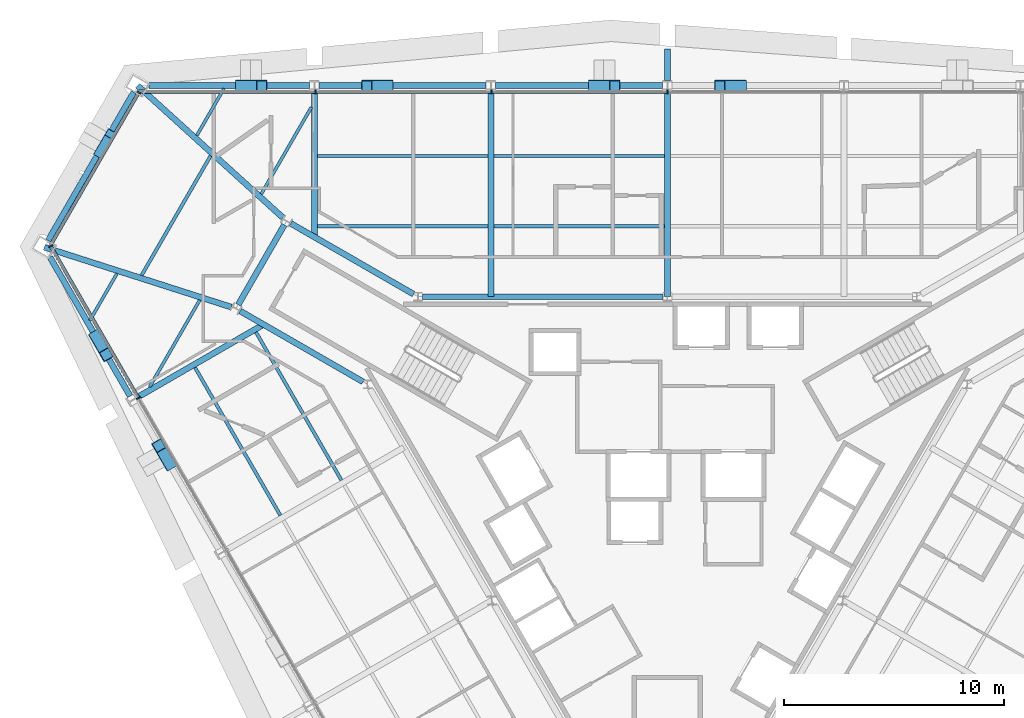
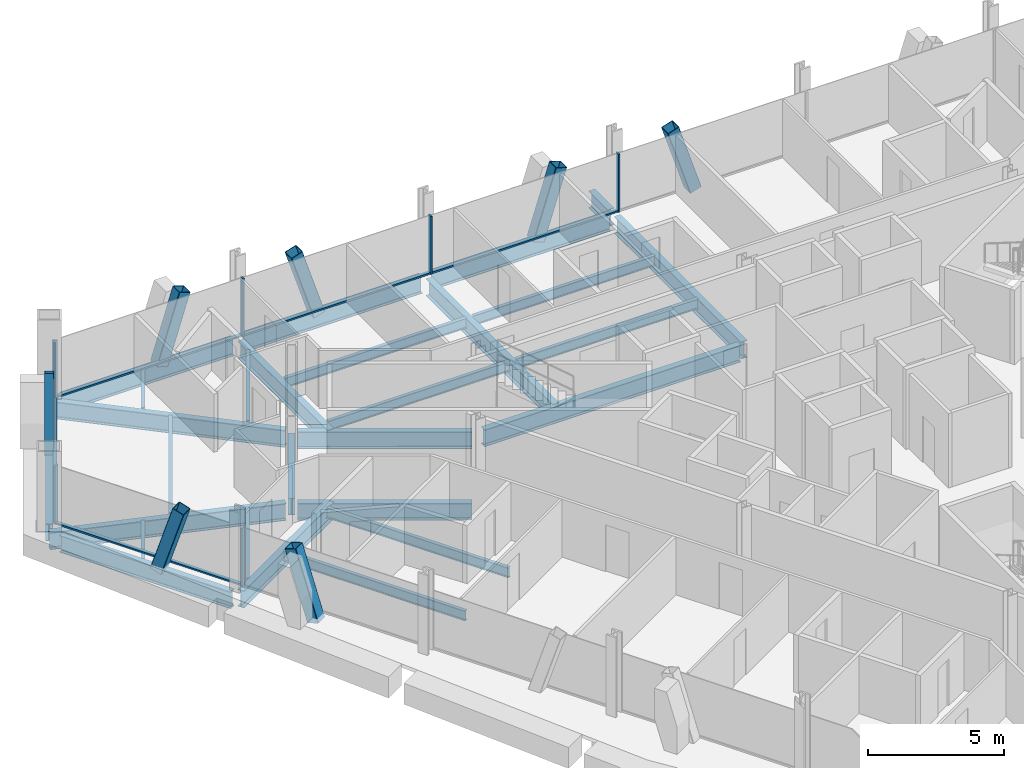
# One storey, part 6 of 16: 27 beams, 18 members, 3 elements without a shape of their own.
"""IFC4 building model written with IfcOpenShell, lengths in metres."""

from ifc_helpers import new_model, si_unit, direction, frame, origin, origin_2d, place, context, subcontext, project, spatial, rectangle, hollow_rectangle, i_section, extrude, material, material_profile, profile_set, type_object, element, aggregate, save


model = new_model("IFC4")

# Units and contexts
model_context = context("Model", 3, precision=1e-05, world=origin(), true_north=direction((0.0, 1.0)))
body_context = subcontext(model_context, "Body", "Model", "MODEL_VIEW")
ifc_project = project(units=[si_unit("LENGTHUNIT", "METRE"), si_unit("AREAUNIT", "SQUARE_METRE"), si_unit("VOLUMEUNIT", "CUBIC_METRE"), si_unit("PLANEANGLEUNIT", "RADIAN"), si_unit("MASSUNIT", "GRAM", prefix="KILO")], contexts=[model_context])

# Site, building, storey
site_placement = place(None, origin())
site = spatial("IfcSite", under=ifc_project, at=site_placement, CompositionType="ELEMENT")
building_placement = place(site_placement, origin())
building = spatial("IfcBuilding", under=site, at=building_placement, Name="Verrane Prism Tower", CompositionType="ELEMENT")
storey_placement = place(building_placement, frame((0.0, 0.0, 107.199951171875)))
storey = spatial("IfcBuildingStorey", under=building, at=storey_placement, Name="L25", CompositionType="ELEMENT", Elevation=107.199951171875)

# Member
ifc_material_1 = material(Name="Steel A500 Grade C", Category="steel")
ifc_material_profile_1 = material_profile(ifc_material_1, hollow_rectangle(XDim=0.355712890625, YDim=0.355712890625, WallThickness=0.0126953125, InnerFilletRadius=0.00634765625, OuterFilletRadius=0.01904296875, at=origin_2d()), Name="HSS14x14x1/2")
ifc_profile_set_1 = profile_set([ifc_material_profile_1], Name="Steel A500 Grade C")
member_type_1 = type_object("IfcMemberType", Name="Chamfer brace HSS14x14x1/2", PredefinedType="BRACE", material=ifc_profile_set_1)
member_1_placement = place(storey_placement, frame((-25.8369140625, 15.731201171875, -0.2451171875), z_axis=(0.159496476686, 0.276075302399, 0.947809738993), x_axis=(-0.865883682865, 0.500245387533, 0.0)))
element("IfcMember", 1, at=member_1_placement, inside=storey, type_object=member_type_1, Name="Chamfer brace NW0 L25", PredefinedType="BRACE", context=body_context, shape_type="SweptSolid", body=[
    extrude(hollow_rectangle(XDim=0.355712890625, YDim=0.355712890625, WallThickness=0.0126953125, InnerFilletRadius=0.00634765625, OuterFilletRadius=0.01904296875, at=origin_2d()), origin(), (0.0, 0.0, 1.0), 3.16845703125),
])

# Beams
ifc_material_2 = material(Name="Steel A992", Category="steel")
ifc_material_profile_2 = material_profile(ifc_material_2, i_section(OverallWidth=0.2666015625, OverallDepth=0.76708984375, WebThickness=0.014892578125, FlangeThickness=0.023681640625, FilletRadius=0.0166015625, at=origin_2d()), Name="W30x124")
ifc_profile_set_2 = profile_set([ifc_material_profile_2], Name="Steel A992")
beam_type_1 = type_object("IfcBeamType", Name="Chamfer spandrel beam W30x124", PredefinedType="SPANDREL", material=ifc_profile_set_2)
beam_1_placement = place(storey_placement, frame((-24.2451171875, 18.48681640625, -0.54345703125), z_axis=(-0.500214307011, -0.865901638214, 0.0), x_axis=(0.865901638214, -0.500214307011, 0.0)))
element("IfcBeam", 2, at=beam_1_placement, inside=storey, type_object=beam_type_1, Name="Chamfer spandrel beam L25", PredefinedType="SPANDREL", context=body_context, shape_type="SweptSolid", body=[
    extrude(i_section(OverallWidth=0.2666015625, OverallDepth=0.76708984375, WebThickness=0.014892578125, FlangeThickness=0.023681640625, FilletRadius=0.0166015625, at=origin_2d()), origin(), (0.0, 0.0, 1.0), 7.7763671875),
])
ifc_material_3 = material(Name="Steel A992", Category="steel")
ifc_material_profile_3 = material_profile(ifc_material_3, i_section(OverallWidth=0.2666015625, OverallDepth=0.7568359375, WebThickness=0.013916015625, FlangeThickness=0.019287109375, FilletRadius=0.0166015625, at=origin_2d()), Name="W30x108")
ifc_profile_set_3 = profile_set([ifc_material_profile_3], Name="Steel A992")
beam_type_2 = type_object("IfcBeamType", Name="Core ring girder W30x108", PredefinedType="BEAM", material=ifc_profile_set_3)
beam_2_placement = place(storey_placement, frame((-0.20068359375, 9.199951171875, -0.62841796875), z_axis=(-1.0, 0.0, 0.0), x_axis=(0.0, -1.0, 0.0)))
element("IfcBeam", 3, at=beam_2_placement, inside=storey, type_object=beam_type_2, Name="Core ring girder L25", PredefinedType="BEAM", context=body_context, shape_type="SweptSolid", body=[
    extrude(i_section(OverallWidth=0.2666015625, OverallDepth=0.7568359375, WebThickness=0.013916015625, FlangeThickness=0.019287109375, FilletRadius=0.0166015625, at=origin_2d()), origin(), (0.0, 0.0, 1.0), 10.9287109375),
])
beam_3_placement = place(storey_placement, frame((-11.53076171875, 9.315673828125, -0.62841796875), z_axis=(-0.866455532004, 0.499254254924, 0.0), x_axis=(-0.499254254924, -0.866455532004, 0.0)))
element("IfcBeam", 4, at=beam_3_placement, inside=storey, type_object=beam_type_2, Name="Core ring girder L25", PredefinedType="BEAM", context=body_context, shape_type="SweptSolid", body=[
    extrude(i_section(OverallWidth=0.2666015625, OverallDepth=0.7568359375, WebThickness=0.013916015625, FlangeThickness=0.019287109375, FilletRadius=0.0166015625, at=origin_2d()), origin(), (0.0, 0.0, 1.0), 6.441162109375),
])
beam_4_placement = place(storey_placement, frame((-17.40283203125, 12.4619140625, -0.62841796875), z_axis=(-0.500367003619, -0.865813410435, 0.0), x_axis=(0.865813410435, -0.500367003619, 0.0)))
element("IfcBeam", 5, at=beam_4_placement, inside=storey, type_object=beam_type_2, Name="Core ring girder L25", PredefinedType="BEAM", context=body_context, shape_type="SweptSolid", body=[
    extrude(i_section(OverallWidth=0.2666015625, OverallDepth=0.7568359375, WebThickness=0.013916015625, FlangeThickness=0.019287109375, FilletRadius=0.0166015625, at=origin_2d()), origin(), (0.0, 0.0, 1.0), 4.185302734375),
])
beam_5_placement = place(storey_placement, frame((-19.411865234375, 8.551513671875, -0.62841796875), z_axis=(0.866455532004, -0.499254254924, 0.0), x_axis=(0.499254254924, 0.866455532004, 0.0)))
element("IfcBeam", 6, at=beam_5_placement, inside=storey, type_object=beam_type_2, Name="Core ring girder L25", PredefinedType="BEAM", context=body_context, shape_type="SweptSolid", body=[
    extrude(i_section(OverallWidth=0.2666015625, OverallDepth=0.7568359375, WebThickness=0.013916015625, FlangeThickness=0.019287109375, FilletRadius=0.0166015625, at=origin_2d()), origin(), (0.0, 0.0, 1.0), 6.441162109375),
])
ifc_material_4 = material(Name="Steel A992", Category="steel")
ifc_material_profile_4 = material_profile(ifc_material_4, i_section(OverallWidth=0.2666015625, OverallDepth=0.76708984375, WebThickness=0.014892578125, FlangeThickness=0.023681640625, FilletRadius=0.0166015625, at=origin_2d()), Name="W30x124")
ifc_profile_set_4 = profile_set([ifc_material_profile_4], Name="Steel A992")
beam_type_3 = type_object("IfcBeamType", Name="Corner girder W30x124", PredefinedType="BEAM", material=ifc_profile_set_4)
beam_6_placement = place(storey_placement, frame((-24.068115234375, 18.788330078125, -0.603515625), z_axis=(0.740172818675, -0.67241668517, 0.0), x_axis=(0.67241668517, 0.740172818675, 0.0)))
element("IfcBeam", 7, at=beam_6_placement, inside=storey, type_object=beam_type_3, Name="Corner girder L25", PredefinedType="BEAM", context=body_context, shape_type="SweptSolid", body=[
    extrude(i_section(OverallWidth=0.2666015625, OverallDepth=0.76708984375, WebThickness=0.014892578125, FlangeThickness=0.023681640625, FilletRadius=0.0166015625, at=origin_2d()), origin(), (0.0, 0.0, 1.0), 8.921630859375),
])
beam_7_placement = place(storey_placement, frame((-28.3056640625, 11.448486328125, -0.603515625), z_axis=(0.952340206189, -0.305037918423, 0.0), x_axis=(0.305037918423, 0.952340206189, 0.0)))
element("IfcBeam", 8, at=beam_7_placement, inside=storey, type_object=beam_type_3, Name="Corner girder L25", PredefinedType="BEAM", context=body_context, shape_type="SweptSolid", body=[
    extrude(i_section(OverallWidth=0.2666015625, OverallDepth=0.76708984375, WebThickness=0.014892578125, FlangeThickness=0.023681640625, FilletRadius=0.0166015625, at=origin_2d()), origin(), (0.0, 0.0, 1.0), 8.919189453125),
])

# Members
ifc_material_5 = material(Name="Steel A1085 Grade A", Category="steel")
ifc_material_profile_5 = material_profile(ifc_material_5, hollow_rectangle(XDim=0.508056640625, YDim=0.508056640625, WallThickness=0.025390625, InnerFilletRadius=0.0126953125, OuterFilletRadius=0.0380859375, at=origin_2d()), Name="HSS20x20x1")
ifc_profile_set_5 = profile_set([ifc_material_profile_5], Name="Steel A1085 Grade A")
member_type_2 = type_object("IfcMemberType", Name="Facade brace HSS20x20x1", PredefinedType="BRACE", material=ifc_profile_set_5)
for number, where, z_axis, x_axis, name in (
    (9, (3.343017578125, 18.7900390625, -0.242431640625), (-0.303321766719, 0.0, 0.952888191675), (0.0, -1.0, 0.0), "Facade brace N2 L25"),
    (10, (-3.343017578125, 18.7900390625, -0.242431640625), (0.303321766719, 0.0, 0.952888191675), (0.0, 1.0, 0.0), "Facade brace N3 L25"),
    (11, (-12.697021484375, 18.7900390625, -0.242431640625), (-0.303251541168, 0.0, 0.952910542905), (0.0, -1.0, 0.0), "Facade brace N4 L25"),
):
    element("IfcMember", number, at=place(storey_placement, frame(where, z_axis=z_axis, x_axis=x_axis)), inside=storey, type_object=member_type_2, Name=name, PredefinedType="BRACE", context=body_context, shape_type="SweptSolid", body=[
        extrude(hollow_rectangle(XDim=0.508056640625, YDim=0.508056640625, WallThickness=0.025390625, InnerFilletRadius=0.0126953125, OuterFilletRadius=0.0380859375, at=origin_2d()), origin(), (0.0, 0.0, 1.0), 3.15673828125),
    ])
member_2_placement = place(storey_placement, frame((-19.38720703125, 18.7900390625, -0.242431640625), z_axis=(0.303602619499, 0.0, 0.952798745504), x_axis=(0.0, 1.0, 0.0)))
element("IfcMember", 12, at=member_2_placement, inside=storey, type_object=member_type_2, Name="Facade brace N5 L25", PredefinedType="BRACE", context=body_context, shape_type="SweptSolid", body=[
    extrude(hollow_rectangle(XDim=0.508056640625, YDim=0.508056640625, WallThickness=0.025390625, InnerFilletRadius=0.0126953125, OuterFilletRadius=0.0380859375, at=origin_2d()), origin(), (0.0, 0.0, 1.0), 3.156982421875),
])
member_3_placement = place(storey_placement, frame((-25.971435546875, 7.39697265625, -0.242431640625), z_axis=(0.151580861177, -0.262791717489, 0.952871321714), x_axis=(0.86622802292, 0.49964888903, 0.0)))
element("IfcMember", 13, at=member_3_placement, inside=storey, type_object=member_type_2, Name="Facade brace SW0 L25", PredefinedType="BRACE", context=body_context, shape_type="SweptSolid", body=[
    extrude(hollow_rectangle(XDim=0.508056640625, YDim=0.508056640625, WallThickness=0.025390625, InnerFilletRadius=0.0126953125, OuterFilletRadius=0.0380859375, at=origin_2d()), origin(), (0.0, 0.0, 1.0), 3.15673828125),
])
member_4_placement = place(storey_placement, frame((-22.624267578125, 1.60302734375, -0.242431640625), z_axis=(-0.152034174601, 0.262773207169, 0.952804204098), x_axis=(-0.865565771003, -0.500795263623, 0.0)))
element("IfcMember", 14, at=member_4_placement, inside=storey, type_object=member_type_2, Name="Facade brace SW1 L25", PredefinedType="BRACE", context=body_context, shape_type="SweptSolid", body=[
    extrude(hollow_rectangle(XDim=0.508056640625, YDim=0.508056640625, WallThickness=0.025390625, InnerFilletRadius=0.0126953125, OuterFilletRadius=0.0380859375, at=origin_2d()), origin(), (0.0, 0.0, 1.0), 3.156982421875),
])

# Beams
ifc_material_6 = material(Name="Steel A992", Category="steel")
ifc_material_profile_6 = material_profile(ifc_material_6, i_section(OverallWidth=0.140380859375, OverallDepth=0.40380859375, WebThickness=0.007080078125, FlangeThickness=0.01123046875, FilletRadius=0.01025390625, at=origin_2d()), Name="W16x31")
ifc_profile_set_6 = profile_set([ifc_material_profile_6], Name="Steel A992")
beam_type_4 = type_object("IfcBeamType", Name="Floor beam W16x31", PredefinedType="BEAM", material=ifc_profile_set_6)
beam_8_placement = place(storey_placement, frame((-18.4501953125, 13.864990234375, -0.36181640625), z_axis=(0.500008678503, 0.86602039319, 0.0), x_axis=(-0.86602039319, 0.500008678503, 0.0)))
element("IfcBeam", 15, at=beam_8_placement, inside=storey, type_object=beam_type_4, Name="Floor beam L25", PredefinedType="BEAM", context=body_context, shape_type="SweptSolid", body=[
    extrude(i_section(OverallWidth=0.140380859375, OverallDepth=0.40380859375, WebThickness=0.007080078125, FlangeThickness=0.01123046875, FilletRadius=0.01025390625, at=origin_2d()), origin(), (0.0, 0.0, 1.0), 4.55322265625),
])
beam_9_placement = place(storey_placement, frame((-21.37744140625, 16.5244140625, -0.36181640625), z_axis=(0.500000007376, 0.866025399526, 0.0), x_axis=(-0.866025399526, 0.500000007376, 0.0)))
element("IfcBeam", 16, at=beam_9_placement, inside=storey, type_object=beam_type_4, Name="Floor beam L25", PredefinedType="BEAM", context=body_context, shape_type="SweptSolid", body=[
    extrude(i_section(OverallWidth=0.140380859375, OverallDepth=0.40380859375, WebThickness=0.007080078125, FlangeThickness=0.01123046875, FilletRadius=0.01025390625, at=origin_2d()), origin(), (0.0, 0.0, 1.0), 2.4619140625),
])
beam_10_placement = place(storey_placement, frame((-23.5205078125, 5.104736328125, -0.36181640625), z_axis=(0.500004125498, 0.866023021914, 0.0), x_axis=(-0.866023021914, 0.500004125498, 0.0)))
element("IfcBeam", 17, at=beam_10_placement, inside=storey, type_object=beam_type_4, Name="Floor beam L25", PredefinedType="BEAM", context=body_context, shape_type="SweptSolid", body=[
    extrude(i_section(OverallWidth=0.140380859375, OverallDepth=0.40380859375, WebThickness=0.007080078125, FlangeThickness=0.01123046875, FilletRadius=0.01025390625, at=origin_2d()), origin(), (0.0, 0.0, 1.0), 4.5517578125),
])
beam_11_placement = place(storey_placement, frame((-26.23583984375, 8.122314453125, -0.36181640625), z_axis=(0.500026134388, 0.866010314562, 0.0), x_axis=(-0.866010314562, 0.500026134388, 0.0)))
element("IfcBeam", 18, at=beam_11_placement, inside=storey, type_object=beam_type_4, Name="Floor beam L25", PredefinedType="BEAM", context=body_context, shape_type="SweptSolid", body=[
    extrude(i_section(OverallWidth=0.140380859375, OverallDepth=0.40380859375, WebThickness=0.007080078125, FlangeThickness=0.01123046875, FilletRadius=0.01025390625, at=origin_2d()), origin(), (0.0, 0.0, 1.0), 2.458740234375),
])
ifc_material_7 = material(Name="Steel A992", Category="steel")
ifc_material_profile_7 = material_profile(ifc_material_7, i_section(OverallWidth=0.15234375, OverallDepth=0.449462890625, WebThickness=0.007568359375, FlangeThickness=0.0107421875, FilletRadius=0.01025390625, at=origin_2d()), Name="W18x35")
ifc_profile_set_7 = profile_set([ifc_material_profile_7], Name="Steel A992")
beam_type_5 = type_object("IfcBeamType", Name="Floor beam W18x35", PredefinedType="BEAM", material=ifc_profile_set_7)
for number, where, z_axis, x_axis, name in (
    (19, (-7.886474609375, 12.396728515625, -0.384765625), (1.0, 0.0, 0.0), (0.0, 1.0, 0.0), "Floor beam L25"),
    (20, (-7.886474609375, 15.59326171875, -0.384765625), (1.0, 0.0, 0.0), (0.0, 1.0, 0.0), "Floor beam L25"),
    (21, (-15.906494140625, 12.396728515625, -0.384765625), (1.0, 0.0, 0.0), (0.0, 1.0, 0.0), "Floor beam L25"),
    (22, (-15.906494140625, 15.59326171875, -0.384765625), (1.0, 0.0, 0.0), (0.0, 1.0, 0.0), "Floor beam L25"),
):
    element("IfcBeam", number, at=place(storey_placement, frame(where, z_axis=z_axis, x_axis=x_axis)), inside=storey, type_object=beam_type_5, Name=name, PredefinedType="BEAM", context=body_context, shape_type="SweptSolid", body=[
        extrude(i_section(OverallWidth=0.15234375, OverallDepth=0.449462890625, WebThickness=0.007568359375, FlangeThickness=0.0107421875, FilletRadius=0.01025390625, at=origin_2d()), origin(), (0.0, 0.0, 1.0), 7.7529296875),
    ])
beam_12_placement = place(storey_placement, frame((-14.80859375, 0.864501953125, -0.384765625), z_axis=(-0.500014594887, 0.866016977259, 0.0), x_axis=(-0.866016977259, -0.500014594887, 0.0)))
element("IfcBeam", 23, at=beam_12_placement, inside=storey, type_object=beam_type_5, Name="Floor beam L25", PredefinedType="BEAM", context=body_context, shape_type="SweptSolid", body=[
    extrude(i_section(OverallWidth=0.15234375, OverallDepth=0.449462890625, WebThickness=0.007568359375, FlangeThickness=0.0107421875, FilletRadius=0.01025390625, at=origin_2d()), origin(), (0.0, 0.0, 1.0), 7.764404296875),
])
beam_13_placement = place(storey_placement, frame((-17.58056640625, -0.736572265625, -0.384765625), z_axis=(-0.499974721637, 0.866039997762, 0.0), x_axis=(-0.866039997762, -0.499974721637, 0.0)))
element("IfcBeam", 24, at=beam_13_placement, inside=storey, type_object=beam_type_5, Name="Floor beam L25", PredefinedType="BEAM", context=body_context, shape_type="SweptSolid", body=[
    extrude(i_section(OverallWidth=0.15234375, OverallDepth=0.449462890625, WebThickness=0.007568359375, FlangeThickness=0.0107421875, FilletRadius=0.01025390625, at=origin_2d()), origin(), (0.0, 0.0, 1.0), 7.76318359375),
])
beam_14_placement = place(storey_placement, frame((-23.8857421875, 10.173095703125, -0.384765625), z_axis=(0.50001262068, 0.866018117109, 0.0), x_axis=(-0.866018117109, 0.50001262068, 0.0)))
element("IfcBeam", 25, at=beam_14_placement, inside=storey, type_object=beam_type_5, Name="Floor beam L25", PredefinedType="BEAM", context=body_context, shape_type="SweptSolid", body=[
    extrude(i_section(OverallWidth=0.15234375, OverallDepth=0.449462890625, WebThickness=0.007568359375, FlangeThickness=0.0107421875, FilletRadius=0.01025390625, at=origin_2d()), origin(), (0.0, 0.0, 1.0), 6.263427734375),
])

# Curtain wall, members
ifc_material_8 = material(Name="Aluminium framed insulated glazing", Category="aluminium")
curtain_wall_type = type_object("IfcCurtainWallType", Name="Curtain wall CW-A 8400 module", PredefinedType="NOTDEFINED", material=ifc_material_8)
curtain_wall_1_placement = place(storey_placement, origin())
curtain_wall_1 = element("IfcCurtainWall", 26, at=curtain_wall_1_placement, inside=storey, type_object=curtain_wall_type, Name="Glazed curtain wall north face L25", PredefinedType="NOTDEFINED")
ifc_material_9 = material(Name="Aluminium alloy 6063-T6", Category="aluminium")
ifc_material_profile_8 = material_profile(ifc_material_9, rectangle(XDim=0.199951171875, YDim=0.070068359375, at=origin_2d()), Name="Mullion 70x200 aluminium")
ifc_profile_set_8 = profile_set([ifc_material_profile_8], Name="Aluminium alloy 6063-T6")
member_type_3 = type_object("IfcMemberType", Name="Mullion 70x200 aluminium", PredefinedType="MULLION", material=ifc_profile_set_8)
member_5_placement = place(storey_placement, frame((0.0, 18.510986328125, 0.0), z_axis=(0.0, 0.0, 1.0), x_axis=(0.0, -1.0, 0.0)))
member_5 = element("IfcMember", 27, at=member_5_placement, type_object=member_type_3, Name="CW24.2 mullion 4", PredefinedType="MULLION", context=body_context, shape_type="SweptSolid", body=[
    extrude(rectangle(XDim=0.199951171875, YDim=0.070068359375, at=origin_2d()), origin(), (0.0, 0.0, 1.0), 2.613037109375),
])
member_6_placement = place(storey_placement, frame((-7.998046875, 18.510986328125, 0.0), z_axis=(0.0, 0.0, 1.0), x_axis=(0.0, -1.0, 0.0)))
member_6 = element("IfcMember", 28, at=member_6_placement, type_object=member_type_3, Name="CW24.2 mullion 5", PredefinedType="MULLION", context=body_context, shape_type="SweptSolid", body=[
    extrude(rectangle(XDim=0.199951171875, YDim=0.070068359375, at=origin_2d()), origin(), (0.0, 0.0, 1.0), 2.613037109375),
])
member_7_placement = place(storey_placement, frame((-15.99609375, 18.510986328125, 0.0), z_axis=(0.0, 0.0, 1.0), x_axis=(0.0, -1.0, 0.0)))
member_7 = element("IfcMember", 29, at=member_7_placement, type_object=member_type_3, Name="CW24.2 mullion 6", PredefinedType="MULLION", context=body_context, shape_type="SweptSolid", body=[
    extrude(rectangle(XDim=0.199951171875, YDim=0.070068359375, at=origin_2d()), origin(), (0.0, 0.0, 1.0), 2.613037109375),
])

# Curtain wall, member
curtain_wall_2_placement = place(storey_placement, origin())
curtain_wall_2 = element("IfcCurtainWall", 30, at=curtain_wall_2_placement, inside=storey, type_object=curtain_wall_type, Name="Glazed curtain wall north-west corner L25", PredefinedType="NOTDEFINED")
member_8_placement = place(storey_placement, frame((-24.01171875, 18.480712890625, 0.0), z_axis=(0.0, 0.0, 1.0), x_axis=(0.866027890405, -0.499995693021, 0.0)))
member_8 = element("IfcMember", 31, at=member_8_placement, type_object=member_type_3, Name="CW24.3 mullion 1", PredefinedType="MULLION", context=body_context, shape_type="SweptSolid", body=[
    extrude(rectangle(XDim=0.199951171875, YDim=0.070068359375, at=origin_2d()), origin(), (0.0, 0.0, 1.0), 2.613037109375),
])

# Curtain wall, members
curtain_wall_3_placement = place(storey_placement, origin())
curtain_wall_3 = element("IfcCurtainWall", 32, at=curtain_wall_3_placement, inside=storey, type_object=curtain_wall_type, Name="Glazed curtain wall south-west face L25", PredefinedType="NOTDEFINED")
member_9_placement = place(storey_placement, frame((-28.010498046875, 11.49365234375, 0.0), z_axis=(0.0, 0.0, 1.0), x_axis=(0.866025402318, 0.500000002539, 0.0)))
member_9 = element("IfcMember", 33, at=member_9_placement, type_object=member_type_3, Name="CW24.4 mullion 1", PredefinedType="MULLION", context=body_context, shape_type="SweptSolid", body=[
    extrude(rectangle(XDim=0.199951171875, YDim=0.070068359375, at=origin_2d()), origin(), (0.0, 0.0, 1.0), 2.613037109375),
])
member_10_placement = place(storey_placement, frame((-24.029052734375, 4.597412109375, 0.0), z_axis=(0.0, 0.0, 1.0), x_axis=(0.866025402318, 0.500000002539, 0.0)))
member_10 = element("IfcMember", 34, at=member_10_placement, type_object=member_type_3, Name="CW24.4 mullion 2", PredefinedType="MULLION", context=body_context, shape_type="SweptSolid", body=[
    extrude(rectangle(XDim=0.199951171875, YDim=0.070068359375, at=origin_2d()), origin(), (0.0, 0.0, 1.0), 2.613037109375),
])

# Beams
ifc_material_10 = material(Name="Steel A992", Category="steel")
ifc_material_profile_9 = material_profile(ifc_material_10, i_section(OverallWidth=0.2666015625, OverallDepth=0.76708984375, WebThickness=0.014892578125, FlangeThickness=0.023681640625, FilletRadius=0.0166015625, at=origin_2d()), Name="W30x124")
ifc_profile_set_9 = profile_set([ifc_material_profile_9], Name="Steel A992")
beam_type_6 = type_object("IfcBeamType", Name="Radial girder W30x124", PredefinedType="BEAM", material=ifc_profile_set_9)
for number, where, z_axis, x_axis, name in (
    (35, (0.0, 18.552490234375, -0.603515625), (0.0, -1.0, 0.0), (1.0, 0.0, 0.0), "Radial girder L25"),
    (36, (-8.02001953125, 18.552490234375, -0.603515625), (0.0, -1.0, 0.0), (1.0, 0.0, 0.0), "Radial girder L25"),
):
    element("IfcBeam", number, at=place(storey_placement, frame(where, z_axis=z_axis, x_axis=x_axis)), inside=storey, type_object=beam_type_6, Name=name, PredefinedType="BEAM", context=body_context, shape_type="SweptSolid", body=[
        extrude(i_section(OverallWidth=0.2666015625, OverallDepth=0.76708984375, WebThickness=0.014892578125, FlangeThickness=0.023681640625, FilletRadius=0.0166015625, at=origin_2d()), origin(), (0.0, 0.0, 1.0), 9.3525390625),
    ])
beam_15_placement = place(storey_placement, frame((-16.0400390625, 18.552490234375, -0.603515625), z_axis=(0.0, -1.0, 0.0), x_axis=(1.0, 0.0, 0.0)))
element("IfcBeam", 37, at=beam_15_placement, inside=storey, type_object=beam_type_6, Name="Radial girder L25", PredefinedType="BEAM", context=body_context, shape_type="SweptSolid", body=[
    extrude(i_section(OverallWidth=0.2666015625, OverallDepth=0.76708984375, WebThickness=0.014892578125, FlangeThickness=0.023681640625, FilletRadius=0.0166015625, at=origin_2d()), origin(), (0.0, 0.0, 1.0), 6.638427734375),
])
beam_16_placement = place(storey_placement, frame((-24.09423828125, 4.61865234375, -0.603515625), z_axis=(0.866011622103, 0.500023869813, 0.0), x_axis=(-0.500023869813, 0.866011622103, 0.0)))
element("IfcBeam", 38, at=beam_16_placement, inside=storey, type_object=beam_type_6, Name="Radial girder L25", PredefinedType="BEAM", context=body_context, shape_type="SweptSolid", body=[
    extrude(i_section(OverallWidth=0.2666015625, OverallDepth=0.76708984375, WebThickness=0.014892578125, FlangeThickness=0.023681640625, FilletRadius=0.0166015625, at=origin_2d()), origin(), (0.0, 0.0, 1.0), 6.637451171875),
])
beam_17_placement = place(storey_placement, frame((0.0, 19.0234375, -0.603515625), z_axis=(0.0, 1.0, 0.0), x_axis=(-1.0, 0.0, 0.0)))
element("IfcBeam", 39, at=beam_17_placement, inside=storey, type_object=beam_type_6, Name="Cantilever girder L25", PredefinedType="BEAM", context=body_context, shape_type="SweptSolid", body=[
    extrude(i_section(OverallWidth=0.2666015625, OverallDepth=0.76708984375, WebThickness=0.014892578125, FlangeThickness=0.023681640625, FilletRadius=0.0166015625, at=origin_2d()), origin(), (0.0, 0.0, 1.0), 1.42041015625),
])
ifc_material_11 = material(Name="Steel A992", Category="steel")
ifc_material_profile_10 = material_profile(ifc_material_11, i_section(OverallWidth=0.2666015625, OverallDepth=0.7568359375, WebThickness=0.013916015625, FlangeThickness=0.019287109375, FilletRadius=0.0166015625, at=origin_2d()), Name="W30x108")
ifc_profile_set_10 = profile_set([ifc_material_profile_10], Name="Steel A992")
beam_type_7 = type_object("IfcBeamType", Name="Spandrel beam W30x108", PredefinedType="SPANDREL", material=ifc_profile_set_10)
for number, where, z_axis, x_axis, name in (
    (40, (-0.212158203125, 18.7900390625, -0.538330078125), (-1.0, 0.0, 0.0), (0.0, -1.0, 0.0), "Spandrel beam L25"),
    (41, (-8.232177734375, 18.7900390625, -0.538330078125), (-1.0, 0.0, 0.0), (0.0, -1.0, 0.0), "Spandrel beam L25"),
):
    element("IfcBeam", number, at=place(storey_placement, frame(where, z_axis=z_axis, x_axis=x_axis)), inside=storey, type_object=beam_type_7, Name=name, PredefinedType="SPANDREL", context=body_context, shape_type="SweptSolid", body=[
        extrude(i_section(OverallWidth=0.2666015625, OverallDepth=0.7568359375, WebThickness=0.013916015625, FlangeThickness=0.019287109375, FilletRadius=0.0166015625, at=origin_2d()), origin(), (0.0, 0.0, 1.0), 7.595703125),
    ])
beam_18_placement = place(storey_placement, frame((-16.252197265625, 18.7900390625, -0.538330078125), z_axis=(-1.0, 0.0, 0.0), x_axis=(0.0, -1.0, 0.0)))
element("IfcBeam", 42, at=beam_18_placement, inside=storey, type_object=beam_type_7, Name="Spandrel beam L25", PredefinedType="SPANDREL", context=body_context, shape_type="SweptSolid", body=[
    extrude(i_section(OverallWidth=0.2666015625, OverallDepth=0.7568359375, WebThickness=0.013916015625, FlangeThickness=0.019287109375, FilletRadius=0.0166015625, at=origin_2d()), origin(), (0.0, 0.0, 1.0), 7.298095703125),
])
beam_19_placement = place(storey_placement, frame((-28.05029296875, 11.0, -0.538330078125), z_axis=(0.499743707602, -0.866173323713, 0.0), x_axis=(0.866173323713, 0.499743707602, 0.0)))
element("IfcBeam", 43, at=beam_19_placement, inside=storey, type_object=beam_type_7, Name="Spandrel beam L25", PredefinedType="SPANDREL", context=body_context, shape_type="SweptSolid", body=[
    extrude(i_section(OverallWidth=0.2666015625, OverallDepth=0.7568359375, WebThickness=0.013916015625, FlangeThickness=0.019287109375, FilletRadius=0.0166015625, at=origin_2d()), origin(), (0.0, 0.0, 1.0), 7.292236328125),
])

# Member
ifc_material_12 = material(Name="Aluminium alloy 6063-T6", Category="aluminium")
ifc_material_profile_11 = material_profile(ifc_material_12, rectangle(XDim=0.14990234375, YDim=0.070068359375, at=origin_2d()), Name="Transom 70x150 aluminium")
ifc_profile_set_11 = profile_set([ifc_material_profile_11], Name="Aluminium alloy 6063-T6")
member_type_4 = type_object("IfcMemberType", Name="Transom 70x150 aluminium", PredefinedType="USERDEFINED", material=ifc_profile_set_11)
member_11_placement = place(storey_placement, frame((-0.034912109375, 18.510986328125, 0.03515625), z_axis=(-1.0, 0.0, 0.0), x_axis=(0.0, -1.0, 0.0)))
member_11 = element("IfcMember", 44, at=member_11_placement, type_object=member_type_4, Name="CW24.2 transom 4", ObjectType="TRANSOM", PredefinedType="USERDEFINED", context=body_context, shape_type="SweptSolid", body=[
    extrude(rectangle(XDim=0.14990234375, YDim=0.070068359375, at=origin_2d()), origin(), (0.0, 0.0, 1.0), 7.92822265625),
])

member_12_placement = place(storey_placement, frame((-8.032958984375, 18.510986328125, 0.03515625), z_axis=(-1.0, 0.0, 0.0), x_axis=(0.0, -1.0, 0.0)))
member_12 = element("IfcMember", 45, at=member_12_placement, type_object=member_type_4, Name="CW24.2 transom 5", ObjectType="TRANSOM", PredefinedType="USERDEFINED", context=body_context, shape_type="SweptSolid", body=[
    extrude(rectangle(XDim=0.14990234375, YDim=0.070068359375, at=origin_2d()), origin(), (0.0, 0.0, 1.0), 7.92822265625),
])

member_13_placement = place(storey_placement, frame((-16.031005859375, 18.510986328125, 0.03515625), z_axis=(-1.0, 0.0, 0.0), x_axis=(0.0, -1.0, 0.0)))
member_13 = element("IfcMember", 46, at=member_13_placement, type_object=member_type_4, Name="CW24.2 transom 6", ObjectType="TRANSOM", PredefinedType="USERDEFINED", context=body_context, shape_type="SweptSolid", body=[
    extrude(rectangle(XDim=0.14990234375, YDim=0.070068359375, at=origin_2d()), origin(), (0.0, 0.0, 1.0), 7.963134765625),
])

aggregate(curtain_wall_1, [member_5, member_6, member_7, member_11, member_12, member_13])

member_14_placement = place(storey_placement, frame((-24.029052734375, 18.450439453125, 0.03515625), z_axis=(-0.499999897272, -0.866025463095, 0.0), x_axis=(0.866025463095, -0.499999897272, 0.0)))
member_14 = element("IfcMember", 47, at=member_14_placement, type_object=member_type_4, Name="CW24.3 transom 1", ObjectType="TRANSOM", PredefinedType="USERDEFINED", context=body_context, shape_type="SweptSolid", body=[
    extrude(rectangle(XDim=0.14990234375, YDim=0.070068359375, at=origin_2d()), origin(), (0.0, 0.0, 1.0), 7.998046875),
])

aggregate(curtain_wall_2, [member_8, member_14])

member_15_placement = place(storey_placement, frame((-27.992919921875, 11.46337890625, 0.03515625), z_axis=(0.500008053694, -0.866020753932, 0.0), x_axis=(0.866020753932, 0.500008053694, 0.0)))
member_15 = element("IfcMember", 48, at=member_15_placement, type_object=member_type_4, Name="CW24.4 transom 1", ObjectType="TRANSOM", PredefinedType="USERDEFINED", context=body_context, shape_type="SweptSolid", body=[
    extrude(rectangle(XDim=0.14990234375, YDim=0.070068359375, at=origin_2d()), origin(), (0.0, 0.0, 1.0), 7.892822265625),
])

aggregate(curtain_wall_3, [member_9, member_10, member_15])

save(model, "model.ifc")
